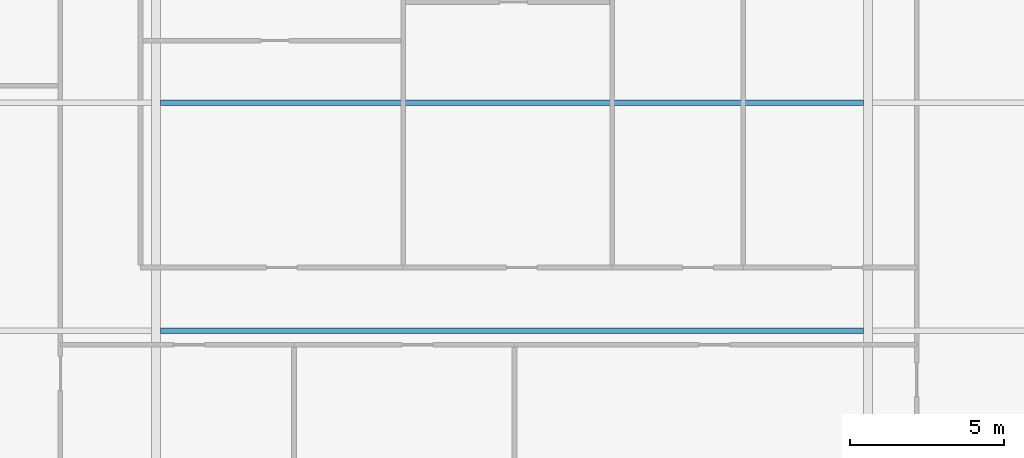
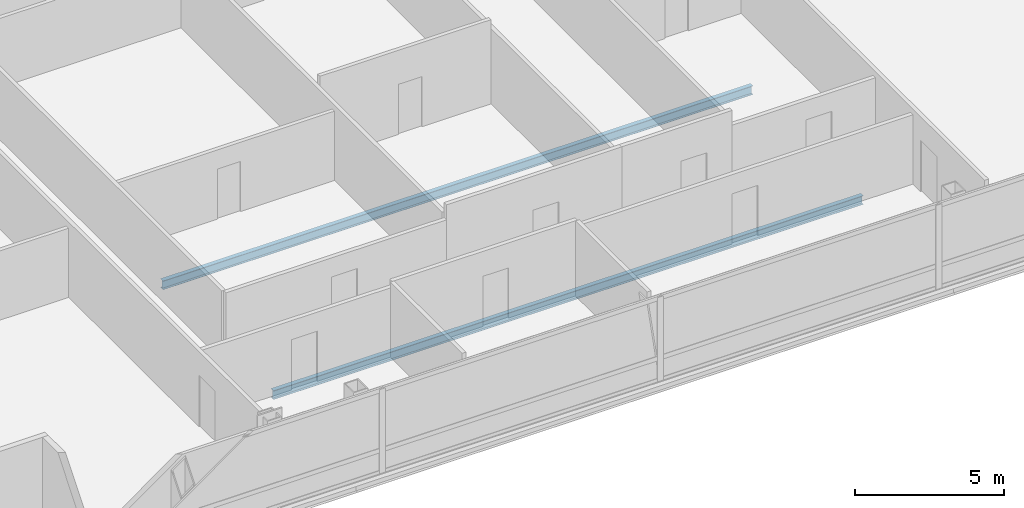
# One storey, part 8 of 27: 2 beams.
"""IFC4 building model written with IfcOpenShell, lengths in metres."""

from ifc_helpers import new_model, si_unit, direction, frame, origin, origin_2d, place, context, subcontext, project, spatial, i_section, extrude, material, material_profile, profile_set, type_object, element, save


model = new_model("IFC4")

# Units and contexts
model_context = context("Model", 3, precision=1e-05, world=origin(), true_north=direction((0.0, 1.0)))
body_context = subcontext(model_context, "Body", "Model", "MODEL_VIEW")
ifc_project = project(units=[si_unit("LENGTHUNIT", "METRE"), si_unit("AREAUNIT", "SQUARE_METRE"), si_unit("VOLUMEUNIT", "CUBIC_METRE"), si_unit("PLANEANGLEUNIT", "RADIAN"), si_unit("MASSUNIT", "GRAM", prefix="KILO")], contexts=[model_context])

# Site, building, storey
site_placement = place(None, origin())
site = spatial("IfcSite", under=ifc_project, at=site_placement, CompositionType="ELEMENT")
building_placement = place(site_placement, origin())
building = spatial("IfcBuilding", under=site, at=building_placement, Name="Khoronbel Lancet Exchange", CompositionType="ELEMENT")
storey_placement = place(building_placement, frame((0.0, 0.0, 343.39990234375)))
storey = spatial("IfcBuildingStorey", under=building, at=storey_placement, Name="L89", CompositionType="ELEMENT", Elevation=343.39990234375)

# Beams
ifc_material = material(Name="Steel S355", Category="steel")
ifc_material_profile = material_profile(ifc_material, i_section(OverallWidth=0.169921875, OverallDepth=0.360107421875, WebThickness=0.008056640625, FlangeThickness=0.0126953125, at=origin_2d()), Name="IPE 360")
ifc_profile_set = profile_set([ifc_material_profile], Name="Steel S355")
beam_type = type_object("IfcBeamType", Name="BM-BJ6", PredefinedType="JOIST", material=ifc_profile_set)
for number, where, z_axis, x_axis, name in (
    (1, (25.050048828125, 16.0, -0.33984375), (1.0, 0.0, 0.0), (0.0, 1.0, 0.0), "Level L89 secondary composite joist J02"),
    (2, (25.050048828125, 23.39990234375, -0.33984375), (1.0, 0.0, 0.0), (0.0, 1.0, 0.0), "Level L89 secondary composite joist J05"),
):
    element("IfcBeam", number, at=place(storey_placement, frame(where, z_axis=z_axis, x_axis=x_axis)), inside=storey, type_object=beam_type, Name=name, PredefinedType="JOIST", context=body_context, shape_type="SweptSolid", body=[
        extrude(i_section(OverallWidth=0.169921875, OverallDepth=0.360107421875, WebThickness=0.008056640625, FlangeThickness=0.0126953125, at=origin_2d()), origin(), (0.0, 0.0, 1.0), 22.800048828125),
    ])

save(model, "model.ifc")
